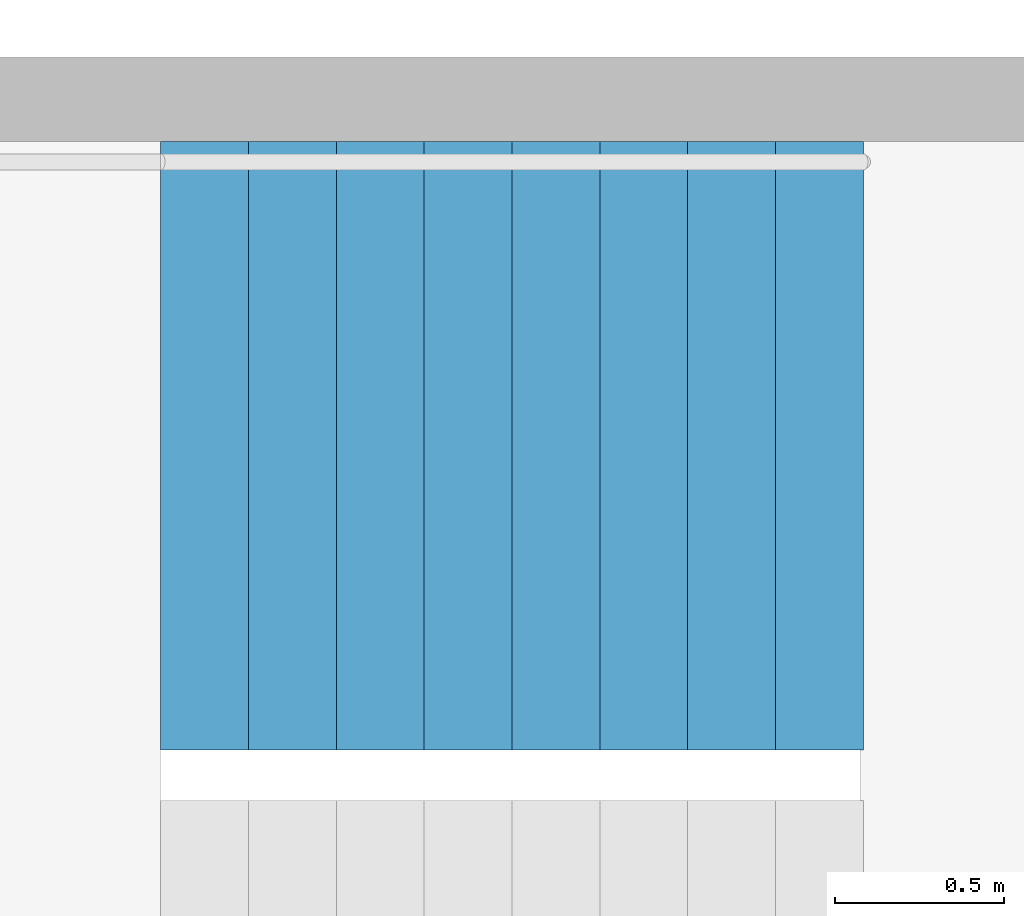
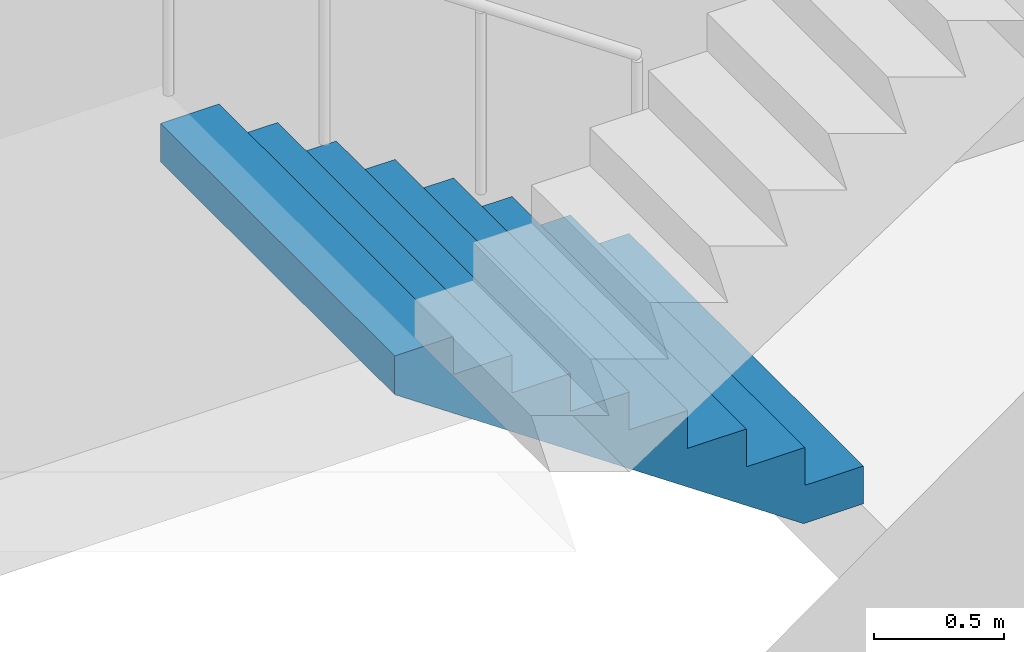
# One storey, part 19 of 26: 1 stair flight, 1 element without a shape of its own.
"""IFC4 building model written with IfcOpenShell, lengths in metres."""

from ifc_helpers import new_model, si_unit, direction, frame, origin, place, context, subcontext, project, spatial, triangles, material, type_object, element, aggregate, save


model = new_model("IFC4")

# Units and contexts
model_context = context("Model", 3, precision=1e-05, world=origin(), true_north=direction((0.0, 1.0)))
body_context = subcontext(model_context, "Body", "Model", "MODEL_VIEW")
ifc_project = project(units=[si_unit("LENGTHUNIT", "METRE"), si_unit("AREAUNIT", "SQUARE_METRE"), si_unit("VOLUMEUNIT", "CUBIC_METRE"), si_unit("PLANEANGLEUNIT", "RADIAN"), si_unit("MASSUNIT", "GRAM", prefix="KILO")], contexts=[model_context])

# Site, building, storey
site_placement = place(None, origin())
site = spatial("IfcSite", under=ifc_project, at=site_placement, CompositionType="ELEMENT")
building_placement = place(site_placement, origin())
building = spatial("IfcBuilding", under=site, at=building_placement, Name="Hakoniwa Tower and Hamabe Station Hall", CompositionType="ELEMENT")
storey_placement = place(building_placement, frame((0.0, 0.0, 140.60009765625)))
storey = spatial("IfcBuildingStorey", under=building, at=storey_placement, Name="L39", CompositionType="ELEMENT", Elevation=140.60009765625)

# Stair, stair flight
ifc_material_1 = material(Name="Concrete C40", Category="concrete")
stair_type = type_object("IfcStairType", Name="ESCAPE STAIR 1800", PredefinedType="HALF_TURN_STAIR", material=ifc_material_1)
stair_placement = place(storey_placement, origin())
stair = element("IfcStair", 1, at=stair_placement, inside=storey, type_object=stair_type, Name="Escape stair ST-2 L39", PredefinedType="HALF_TURN_STAIR")
ifc_material_2 = material(Name="Concrete C40", Category="concrete")
stair_flight_type = type_object("IfcStairFlightType", Name="STAIR FLIGHT 1800", PredefinedType="STRAIGHT", material=ifc_material_2)
stair_flight_placement = place(storey_placement, frame((-23.39990234375, -4.64990234375, 0.0), z_axis=(0.0, 0.0, 1.0), x_axis=(-1.0, 0.0, 0.0)))
stair_flight = element("IfcStairFlight", 2, at=stair_flight_placement, type_object=stair_flight_type, Name="ST-2 flight 1", NumberOfRisers=9, NumberOfTreads=8, PredefinedType="STRAIGHT", RiserHeight=0.177777778, TreadLength=0.26, context=body_context, shape_type="Tessellation", body=[
    triangles([(0.0, 0.89990234375, 0.0), (0.260009765625, 0.89990234375, 0.0), (0.265625, 0.89990234375, 0.0), (0.52001953125, 0.89990234375, 0.174072265625), (0.780029296875, 0.89990234375, 0.351806640625), (1.0400390625, 0.89990234375, 0.529541015625), (1.300048828125, 0.89990234375, 0.707275390625), (1.56005859375, 0.89990234375, 0.885009765625), (1.820068359375, 0.89990234375, 1.062744140625), (2.080078125, 0.89990234375, 1.24072265625), (2.080078125, 0.89990234375, 1.422119140625), (1.820068359375, 0.89990234375, 1.422119140625), (1.820068359375, 0.89990234375, 1.244384765625), (1.56005859375, 0.89990234375, 1.244384765625), (1.56005859375, 0.89990234375, 1.066650390625), (1.300048828125, 0.89990234375, 1.066650390625), (1.300048828125, 0.89990234375, 0.888916015625), (1.0400390625, 0.89990234375, 0.888916015625), (1.0400390625, 0.89990234375, 0.711181640625), (0.780029296875, 0.89990234375, 0.711181640625), (0.780029296875, 0.89990234375, 0.533447265625), (0.52001953125, 0.89990234375, 0.533447265625), (0.52001953125, 0.89990234375, 0.35546875), (0.265625, 0.89990234375, 0.35546875), (0.260009765625, 0.89990234375, 0.35546875), (0.260009765625, 0.89990234375, 0.177734375), (0.0, 0.89990234375, 0.177734375), (0.0, 0.06005859375, 0.0), (0.260009765625, 0.06005859375, 0.0), (0.265625, 0.06005859375, 0.0), (0.52001953125, 0.06005859375, 0.174072265625), (0.780029296875, 0.06005859375, 0.351806640625), (1.0400390625, 0.06005859375, 0.529541015625), (1.300048828125, 0.06005859375, 0.707275390625), (1.56005859375, 0.06005859375, 0.885009765625), (1.820068359375, 0.06005859375, 1.062744140625), (2.080078125, 0.06005859375, 1.24072265625), (2.080078125, 0.06005859375, 1.422119140625), (1.820068359375, 0.06005859375, 1.422119140625), (1.820068359375, 0.06005859375, 1.244384765625), (1.56005859375, 0.06005859375, 1.244384765625), (1.56005859375, 0.06005859375, 1.066650390625), (1.300048828125, 0.06005859375, 1.066650390625), (1.300048828125, 0.06005859375, 0.888916015625), (1.0400390625, 0.06005859375, 0.888916015625), (1.0400390625, 0.06005859375, 0.711181640625), (0.780029296875, 0.06005859375, 0.711181640625), (0.780029296875, 0.06005859375, 0.533447265625), (0.52001953125, 0.06005859375, 0.533447265625), (0.52001953125, 0.06005859375, 0.35546875), (0.265625, 0.06005859375, 0.35546875), (0.260009765625, 0.06005859375, 0.35546875), (0.260009765625, 0.06005859375, 0.177734375), (0.0, 0.06005859375, 0.177734375), (0.0, 0.04296875, 0.0), (0.260009765625, 0.04296875, 0.0), (0.265625, 0.04296875, 0.0), (0.52001953125, 0.04296875, 0.174072265625), (0.780029296875, 0.04296875, 0.351806640625), (1.0400390625, 0.04296875, 0.529541015625), (1.300048828125, 0.04296875, 0.707275390625), (1.56005859375, 0.04296875, 0.885009765625), (1.820068359375, 0.04296875, 1.062744140625), (2.080078125, 0.04296875, 1.24072265625), (2.080078125, 0.04296875, 1.422119140625), (1.820068359375, 0.04296875, 1.422119140625), (1.820068359375, 0.04296875, 1.244384765625), (1.56005859375, 0.04296875, 1.244384765625), (1.56005859375, 0.04296875, 1.066650390625), (1.300048828125, 0.04296875, 1.066650390625), (1.300048828125, 0.04296875, 0.888916015625), (1.0400390625, 0.04296875, 0.888916015625), (1.0400390625, 0.04296875, 0.711181640625), (0.780029296875, 0.04296875, 0.711181640625), (0.780029296875, 0.04296875, 0.533447265625), (0.52001953125, 0.04296875, 0.533447265625), (0.52001953125, 0.04296875, 0.35546875), (0.265625, 0.04296875, 0.35546875), (0.260009765625, 0.04296875, 0.35546875), (0.260009765625, 0.04296875, 0.177734375), (0.0, 0.04296875, 0.177734375), (0.0, 0.025634765625, 0.0), (0.260009765625, 0.025634765625, 0.0), (0.265625, 0.025634765625, 0.0), (0.52001953125, 0.025634765625, 0.174072265625), (0.780029296875, 0.025634765625, 0.351806640625), (1.0400390625, 0.025634765625, 0.529541015625), (1.300048828125, 0.025634765625, 0.707275390625), (1.56005859375, 0.025634765625, 0.885009765625), (1.820068359375, 0.025634765625, 1.062744140625), (2.080078125, 0.025634765625, 1.24072265625), (2.080078125, 0.025634765625, 1.422119140625), (1.820068359375, 0.025634765625, 1.422119140625), (1.820068359375, 0.025634765625, 1.244384765625), (1.56005859375, 0.025634765625, 1.244384765625), (1.56005859375, 0.025634765625, 1.066650390625), (1.300048828125, 0.025634765625, 1.066650390625), (1.300048828125, 0.025634765625, 0.888916015625), (1.0400390625, 0.025634765625, 0.888916015625), (1.0400390625, 0.025634765625, 0.711181640625), (0.780029296875, 0.025634765625, 0.711181640625), (0.780029296875, 0.025634765625, 0.533447265625), (0.52001953125, 0.025634765625, 0.533447265625), (0.52001953125, 0.025634765625, 0.35546875), (0.265625, 0.025634765625, 0.35546875), (0.260009765625, 0.025634765625, 0.35546875), (0.260009765625, 0.025634765625, 0.177734375), (0.0, 0.025634765625, 0.177734375), (0.0, 0.008544921875, 0.0), (0.260009765625, 0.008544921875, 0.0), (0.265625, 0.008544921875, 0.0), (0.52001953125, 0.008544921875, 0.174072265625), (0.780029296875, 0.008544921875, 0.351806640625), (1.0400390625, 0.008544921875, 0.529541015625), (1.300048828125, 0.008544921875, 0.707275390625), (1.56005859375, 0.008544921875, 0.885009765625), (1.820068359375, 0.008544921875, 1.062744140625), (2.080078125, 0.008544921875, 1.24072265625), (2.080078125, 0.008544921875, 1.422119140625), (1.820068359375, 0.008544921875, 1.422119140625), (1.820068359375, 0.008544921875, 1.244384765625), (1.56005859375, 0.008544921875, 1.244384765625), (1.56005859375, 0.008544921875, 1.066650390625), (1.300048828125, 0.008544921875, 1.066650390625), (1.300048828125, 0.008544921875, 0.888916015625), (1.0400390625, 0.008544921875, 0.888916015625), (1.0400390625, 0.008544921875, 0.711181640625), (0.780029296875, 0.008544921875, 0.711181640625), (0.780029296875, 0.008544921875, 0.533447265625), (0.52001953125, 0.008544921875, 0.533447265625), (0.52001953125, 0.008544921875, 0.35546875), (0.265625, 0.008544921875, 0.35546875), (0.260009765625, 0.008544921875, 0.35546875), (0.260009765625, 0.008544921875, 0.177734375), (0.0, 0.008544921875, 0.177734375), (0.0, -0.008544921875, 0.0), (0.260009765625, -0.008544921875, 0.0), (0.265625, -0.008544921875, 0.0), (0.52001953125, -0.008544921875, 0.174072265625), (0.780029296875, -0.008544921875, 0.351806640625), (1.0400390625, -0.008544921875, 0.529541015625), (1.300048828125, -0.008544921875, 0.707275390625), (1.56005859375, -0.008544921875, 0.885009765625), (1.820068359375, -0.008544921875, 1.062744140625), (2.080078125, -0.008544921875, 1.24072265625), (2.080078125, -0.008544921875, 1.422119140625), (1.820068359375, -0.008544921875, 1.422119140625), (1.820068359375, -0.008544921875, 1.244384765625), (1.56005859375, -0.008544921875, 1.244384765625), (1.56005859375, -0.008544921875, 1.066650390625), (1.300048828125, -0.008544921875, 1.066650390625), (1.300048828125, -0.008544921875, 0.888916015625), (1.0400390625, -0.008544921875, 0.888916015625), (1.0400390625, -0.008544921875, 0.711181640625), (0.780029296875, -0.008544921875, 0.711181640625), (0.780029296875, -0.008544921875, 0.533447265625), (0.52001953125, -0.008544921875, 0.533447265625), (0.52001953125, -0.008544921875, 0.35546875), (0.265625, -0.008544921875, 0.35546875), (0.260009765625, -0.008544921875, 0.35546875), (0.260009765625, -0.008544921875, 0.177734375), (0.0, -0.008544921875, 0.177734375), (0.0, -0.025634765625, 0.0), (0.260009765625, -0.025634765625, 0.0), (0.265625, -0.025634765625, 0.0), (0.52001953125, -0.025634765625, 0.174072265625), (0.780029296875, -0.025634765625, 0.351806640625), (1.0400390625, -0.025634765625, 0.529541015625), (1.300048828125, -0.025634765625, 0.707275390625), (1.56005859375, -0.025634765625, 0.885009765625), (1.820068359375, -0.025634765625, 1.062744140625), (2.080078125, -0.025634765625, 1.24072265625), (2.080078125, -0.025634765625, 1.422119140625), (1.820068359375, -0.025634765625, 1.422119140625), (1.820068359375, -0.025634765625, 1.244384765625), (1.56005859375, -0.025634765625, 1.244384765625), (1.56005859375, -0.025634765625, 1.066650390625), (1.300048828125, -0.025634765625, 1.066650390625), (1.300048828125, -0.025634765625, 0.888916015625), (1.0400390625, -0.025634765625, 0.888916015625), (1.0400390625, -0.025634765625, 0.711181640625), (0.780029296875, -0.025634765625, 0.711181640625), (0.780029296875, -0.025634765625, 0.533447265625), (0.52001953125, -0.025634765625, 0.533447265625), (0.52001953125, -0.025634765625, 0.35546875), (0.265625, -0.025634765625, 0.35546875), (0.260009765625, -0.025634765625, 0.35546875), (0.260009765625, -0.025634765625, 0.177734375), (0.0, -0.025634765625, 0.177734375), (0.0, -0.04296875, 0.0), (0.260009765625, -0.04296875, 0.0), (0.265625, -0.04296875, 0.0), (0.52001953125, -0.04296875, 0.174072265625), (0.780029296875, -0.04296875, 0.351806640625), (1.0400390625, -0.04296875, 0.529541015625), (1.300048828125, -0.04296875, 0.707275390625), (1.56005859375, -0.04296875, 0.885009765625), (1.820068359375, -0.04296875, 1.062744140625), (2.080078125, -0.04296875, 1.24072265625), (2.080078125, -0.04296875, 1.422119140625), (1.820068359375, -0.04296875, 1.422119140625), (1.820068359375, -0.04296875, 1.244384765625), (1.56005859375, -0.04296875, 1.244384765625), (1.56005859375, -0.04296875, 1.066650390625), (1.300048828125, -0.04296875, 1.066650390625), (1.300048828125, -0.04296875, 0.888916015625), (1.0400390625, -0.04296875, 0.888916015625), (1.0400390625, -0.04296875, 0.711181640625), (0.780029296875, -0.04296875, 0.711181640625), (0.780029296875, -0.04296875, 0.533447265625), (0.52001953125, -0.04296875, 0.533447265625), (0.52001953125, -0.04296875, 0.35546875), (0.265625, -0.04296875, 0.35546875), (0.260009765625, -0.04296875, 0.35546875), (0.260009765625, -0.04296875, 0.177734375), (0.0, -0.04296875, 0.177734375), (0.0, -0.06005859375, 0.0), (0.260009765625, -0.06005859375, 0.0), (0.265625, -0.06005859375, 0.0), (0.52001953125, -0.06005859375, 0.174072265625), (0.780029296875, -0.06005859375, 0.351806640625), (1.0400390625, -0.06005859375, 0.529541015625), (1.300048828125, -0.06005859375, 0.707275390625), (1.56005859375, -0.06005859375, 0.885009765625), (1.820068359375, -0.06005859375, 1.062744140625), (2.080078125, -0.06005859375, 1.24072265625), (2.080078125, -0.06005859375, 1.422119140625), (1.820068359375, -0.06005859375, 1.422119140625), (1.820068359375, -0.06005859375, 1.244384765625), (1.56005859375, -0.06005859375, 1.244384765625), (1.56005859375, -0.06005859375, 1.066650390625), (1.300048828125, -0.06005859375, 1.066650390625), (1.300048828125, -0.06005859375, 0.888916015625), (1.0400390625, -0.06005859375, 0.888916015625), (1.0400390625, -0.06005859375, 0.711181640625), (0.780029296875, -0.06005859375, 0.711181640625), (0.780029296875, -0.06005859375, 0.533447265625), (0.52001953125, -0.06005859375, 0.533447265625), (0.52001953125, -0.06005859375, 0.35546875), (0.265625, -0.06005859375, 0.35546875), (0.260009765625, -0.06005859375, 0.35546875), (0.260009765625, -0.06005859375, 0.177734375), (0.0, -0.06005859375, 0.177734375), (0.0, -0.89990234375, 0.0), (0.260009765625, -0.89990234375, 0.0), (0.265625, -0.89990234375, 0.0), (0.52001953125, -0.89990234375, 0.174072265625), (0.780029296875, -0.89990234375, 0.351806640625), (1.0400390625, -0.89990234375, 0.529541015625), (1.300048828125, -0.89990234375, 0.707275390625), (1.56005859375, -0.89990234375, 0.885009765625), (1.820068359375, -0.89990234375, 1.062744140625), (2.080078125, -0.89990234375, 1.24072265625), (2.080078125, -0.89990234375, 1.422119140625), (1.820068359375, -0.89990234375, 1.422119140625), (1.820068359375, -0.89990234375, 1.244384765625), (1.56005859375, -0.89990234375, 1.244384765625), (1.56005859375, -0.89990234375, 1.066650390625), (1.300048828125, -0.89990234375, 1.066650390625), (1.300048828125, -0.89990234375, 0.888916015625), (1.0400390625, -0.89990234375, 0.888916015625), (1.0400390625, -0.89990234375, 0.711181640625), (0.780029296875, -0.89990234375, 0.711181640625), (0.780029296875, -0.89990234375, 0.533447265625), (0.52001953125, -0.89990234375, 0.533447265625), (0.52001953125, -0.89990234375, 0.35546875), (0.265625, -0.89990234375, 0.35546875), (0.260009765625, -0.89990234375, 0.35546875), (0.260009765625, -0.89990234375, 0.177734375), (0.0, -0.89990234375, 0.177734375)], [[2, 27, 26], [245, 269, 270], [2, 1, 27], [245, 270, 244], [3, 25, 24], [246, 267, 268], [3, 26, 25], [246, 268, 269], [3, 2, 26], [246, 269, 245], [4, 24, 23], [247, 266, 267], [4, 3, 24], [247, 267, 246], [5, 22, 21], [248, 264, 265], [5, 23, 22], [248, 265, 266], [5, 4, 23], [248, 266, 247], [6, 20, 19], [249, 262, 263], [6, 21, 20], [249, 263, 264], [6, 5, 21], [249, 264, 248], [7, 18, 17], [250, 260, 261], [7, 19, 18], [250, 261, 262], [7, 6, 19], [250, 262, 249], [8, 16, 15], [251, 258, 259], [8, 17, 16], [251, 259, 260], [8, 7, 17], [251, 260, 250], [9, 14, 13], [252, 256, 257], [9, 15, 14], [252, 257, 258], [9, 8, 15], [252, 258, 251], [10, 12, 11], [253, 254, 255], [10, 13, 12], [253, 255, 256], [10, 9, 13], [253, 256, 252], [1, 2, 29], [1, 29, 28], [28, 29, 56], [28, 56, 55], [55, 56, 83], [55, 83, 82], [82, 83, 110], [82, 110, 109], [109, 110, 137], [109, 137, 136], [136, 137, 164], [136, 164, 163], [163, 164, 191], [163, 191, 190], [190, 191, 218], [190, 218, 217], [217, 218, 245], [217, 245, 244], [2, 3, 30], [2, 30, 29], [29, 30, 57], [29, 57, 56], [56, 57, 84], [56, 84, 83], [83, 84, 111], [83, 111, 110], [110, 111, 138], [110, 138, 137], [137, 138, 165], [137, 165, 164], [164, 165, 192], [164, 192, 191], [191, 192, 219], [191, 219, 218], [218, 219, 246], [218, 246, 245], [3, 4, 31], [3, 31, 30], [30, 31, 58], [30, 58, 57], [57, 58, 85], [57, 85, 84], [84, 85, 112], [84, 112, 111], [111, 112, 139], [111, 139, 138], [138, 139, 166], [138, 166, 165], [165, 166, 193], [165, 193, 192], [192, 193, 220], [192, 220, 219], [219, 220, 247], [219, 247, 246], [4, 5, 32], [4, 32, 31], [31, 32, 59], [31, 59, 58], [58, 59, 86], [58, 86, 85], [85, 86, 113], [85, 113, 112], [112, 113, 140], [112, 140, 139], [139, 140, 167], [139, 167, 166], [166, 167, 194], [166, 194, 193], [193, 194, 221], [193, 221, 220], [220, 221, 248], [220, 248, 247], [5, 6, 33], [5, 33, 32], [32, 33, 60], [32, 60, 59], [59, 60, 87], [59, 87, 86], [86, 87, 114], [86, 114, 113], [113, 114, 141], [113, 141, 140], [140, 141, 168], [140, 168, 167], [167, 168, 195], [167, 195, 194], [194, 195, 222], [194, 222, 221], [221, 222, 249], [221, 249, 248], [6, 7, 34], [6, 34, 33], [33, 34, 61], [33, 61, 60], [60, 61, 88], [60, 88, 87], [87, 88, 115], [87, 115, 114], [114, 115, 142], [114, 142, 141], [141, 142, 169], [141, 169, 168], [168, 169, 196], [168, 196, 195], [195, 196, 223], [195, 223, 222], [222, 223, 250], [222, 250, 249], [7, 8, 35], [7, 35, 34], [34, 35, 62], [34, 62, 61], [61, 62, 89], [61, 89, 88], [88, 89, 116], [88, 116, 115], [115, 116, 143], [115, 143, 142], [142, 143, 170], [142, 170, 169], [169, 170, 197], [169, 197, 196], [196, 197, 224], [196, 224, 223], [223, 224, 251], [223, 251, 250], [8, 9, 36], [8, 36, 35], [35, 36, 63], [35, 63, 62], [62, 63, 90], [62, 90, 89], [89, 90, 117], [89, 117, 116], [116, 117, 144], [116, 144, 143], [143, 144, 171], [143, 171, 170], [170, 171, 198], [170, 198, 197], [197, 198, 225], [197, 225, 224], [224, 225, 252], [224, 252, 251], [9, 10, 37], [9, 37, 36], [36, 37, 64], [36, 64, 63], [63, 64, 91], [63, 91, 90], [90, 91, 118], [90, 118, 117], [117, 118, 145], [117, 145, 144], [144, 145, 172], [144, 172, 171], [171, 172, 199], [171, 199, 198], [198, 199, 226], [198, 226, 225], [225, 226, 253], [225, 253, 252], [10, 11, 38], [10, 38, 37], [37, 38, 65], [37, 65, 64], [64, 65, 92], [64, 92, 91], [91, 92, 119], [91, 119, 118], [118, 119, 146], [118, 146, 145], [145, 146, 173], [145, 173, 172], [172, 173, 200], [172, 200, 199], [199, 200, 227], [199, 227, 226], [226, 227, 254], [226, 254, 253], [11, 12, 39], [11, 39, 38], [38, 39, 66], [38, 66, 65], [65, 66, 93], [65, 93, 92], [92, 93, 120], [92, 120, 119], [119, 120, 147], [119, 147, 146], [146, 147, 174], [146, 174, 173], [173, 174, 201], [173, 201, 200], [200, 201, 228], [200, 228, 227], [227, 228, 255], [227, 255, 254], [12, 13, 40], [12, 40, 39], [39, 40, 67], [39, 67, 66], [66, 67, 94], [66, 94, 93], [93, 94, 121], [93, 121, 120], [120, 121, 148], [120, 148, 147], [147, 148, 175], [147, 175, 174], [174, 175, 202], [174, 202, 201], [201, 202, 229], [201, 229, 228], [228, 229, 256], [228, 256, 255], [13, 14, 41], [13, 41, 40], [40, 41, 68], [40, 68, 67], [67, 68, 95], [67, 95, 94], [94, 95, 122], [94, 122, 121], [121, 122, 149], [121, 149, 148], [148, 149, 176], [148, 176, 175], [175, 176, 203], [175, 203, 202], [202, 203, 230], [202, 230, 229], [229, 230, 257], [229, 257, 256], [14, 15, 42], [14, 42, 41], [41, 42, 69], [41, 69, 68], [68, 69, 96], [68, 96, 95], [95, 96, 123], [95, 123, 122], [122, 123, 150], [122, 150, 149], [149, 150, 177], [149, 177, 176], [176, 177, 204], [176, 204, 203], [203, 204, 231], [203, 231, 230], [230, 231, 258], [230, 258, 257], [15, 16, 43], [15, 43, 42], [42, 43, 70], [42, 70, 69], [69, 70, 97], [69, 97, 96], [96, 97, 124], [96, 124, 123], [123, 124, 151], [123, 151, 150], [150, 151, 178], [150, 178, 177], [177, 178, 205], [177, 205, 204], [204, 205, 232], [204, 232, 231], [231, 232, 259], [231, 259, 258], [16, 17, 44], [16, 44, 43], [43, 44, 71], [43, 71, 70], [70, 71, 98], [70, 98, 97], [97, 98, 125], [97, 125, 124], [124, 125, 152], [124, 152, 151], [151, 152, 179], [151, 179, 178], [178, 179, 206], [178, 206, 205], [205, 206, 233], [205, 233, 232], [232, 233, 260], [232, 260, 259], [17, 18, 45], [17, 45, 44], [44, 45, 72], [44, 72, 71], [71, 72, 99], [71, 99, 98], [98, 99, 126], [98, 126, 125], [125, 126, 153], [125, 153, 152], [152, 153, 180], [152, 180, 179], [179, 180, 207], [179, 207, 206], [206, 207, 234], [206, 234, 233], [233, 234, 261], [233, 261, 260], [18, 19, 46], [18, 46, 45], [45, 46, 73], [45, 73, 72], [72, 73, 100], [72, 100, 99], [99, 100, 127], [99, 127, 126], [126, 127, 154], [126, 154, 153], [153, 154, 181], [153, 181, 180], [180, 181, 208], [180, 208, 207], [207, 208, 235], [207, 235, 234], [234, 235, 262], [234, 262, 261], [19, 20, 47], [19, 47, 46], [46, 47, 74], [46, 74, 73], [73, 74, 101], [73, 101, 100], [100, 101, 128], [100, 128, 127], [127, 128, 155], [127, 155, 154], [154, 155, 182], [154, 182, 181], [181, 182, 209], [181, 209, 208], [208, 209, 236], [208, 236, 235], [235, 236, 263], [235, 263, 262], [20, 21, 48], [20, 48, 47], [47, 48, 75], [47, 75, 74], [74, 75, 102], [74, 102, 101], [101, 102, 129], [101, 129, 128], [128, 129, 156], [128, 156, 155], [155, 156, 183], [155, 183, 182], [182, 183, 210], [182, 210, 209], [209, 210, 237], [209, 237, 236], [236, 237, 264], [236, 264, 263], [21, 22, 49], [21, 49, 48], [48, 49, 76], [48, 76, 75], [75, 76, 103], [75, 103, 102], [102, 103, 130], [102, 130, 129], [129, 130, 157], [129, 157, 156], [156, 157, 184], [156, 184, 183], [183, 184, 211], [183, 211, 210], [210, 211, 238], [210, 238, 237], [237, 238, 265], [237, 265, 264], [22, 23, 50], [22, 50, 49], [49, 50, 77], [49, 77, 76], [76, 77, 104], [76, 104, 103], [103, 104, 131], [103, 131, 130], [130, 131, 158], [130, 158, 157], [157, 158, 185], [157, 185, 184], [184, 185, 212], [184, 212, 211], [211, 212, 239], [211, 239, 238], [238, 239, 266], [238, 266, 265], [23, 24, 51], [23, 51, 50], [50, 51, 78], [50, 78, 77], [77, 78, 105], [77, 105, 104], [104, 105, 132], [104, 132, 131], [131, 132, 159], [131, 159, 158], [158, 159, 186], [158, 186, 185], [185, 186, 213], [185, 213, 212], [212, 213, 240], [212, 240, 239], [239, 240, 267], [239, 267, 266], [24, 25, 52], [24, 52, 51], [51, 52, 79], [51, 79, 78], [78, 79, 106], [78, 106, 105], [105, 106, 133], [105, 133, 132], [132, 133, 160], [132, 160, 159], [159, 160, 187], [159, 187, 186], [186, 187, 214], [186, 214, 213], [213, 214, 241], [213, 241, 240], [240, 241, 268], [240, 268, 267], [25, 26, 53], [25, 53, 52], [52, 53, 80], [52, 80, 79], [79, 80, 107], [79, 107, 106], [106, 107, 134], [106, 134, 133], [133, 134, 161], [133, 161, 160], [160, 161, 188], [160, 188, 187], [187, 188, 215], [187, 215, 214], [214, 215, 242], [214, 242, 241], [241, 242, 269], [241, 269, 268], [26, 27, 54], [26, 54, 53], [53, 54, 81], [53, 81, 80], [80, 81, 108], [80, 108, 107], [107, 108, 135], [107, 135, 134], [134, 135, 162], [134, 162, 161], [161, 162, 189], [161, 189, 188], [188, 189, 216], [188, 216, 215], [215, 216, 243], [215, 243, 242], [242, 243, 270], [242, 270, 269], [27, 1, 28], [27, 28, 54], [54, 28, 55], [54, 55, 81], [81, 55, 82], [81, 82, 108], [108, 82, 109], [108, 109, 135], [135, 109, 136], [135, 136, 162], [162, 136, 163], [162, 163, 189], [189, 163, 190], [189, 190, 216], [216, 190, 217], [216, 217, 243], [243, 217, 244], [243, 244, 270]], closed=True),
])
aggregate(stair, [stair_flight])

save(model, "model.ifc")
